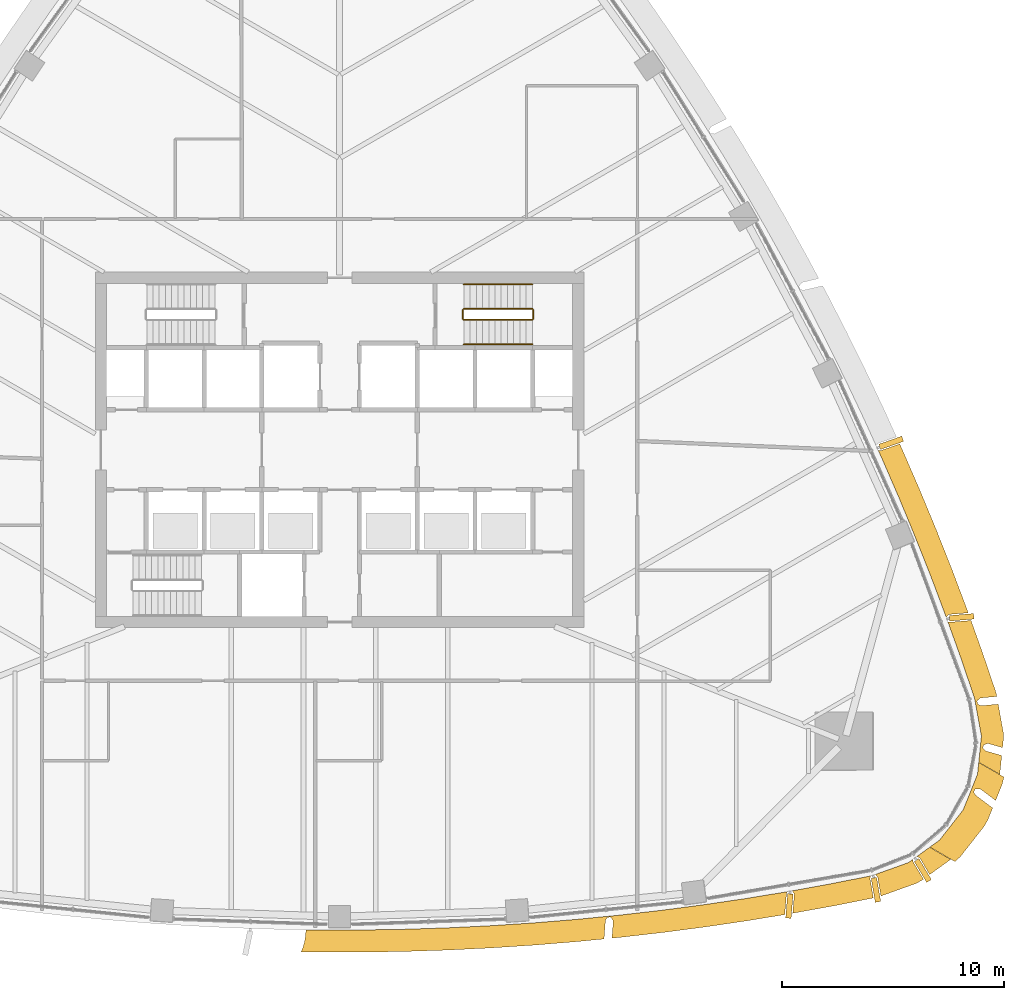
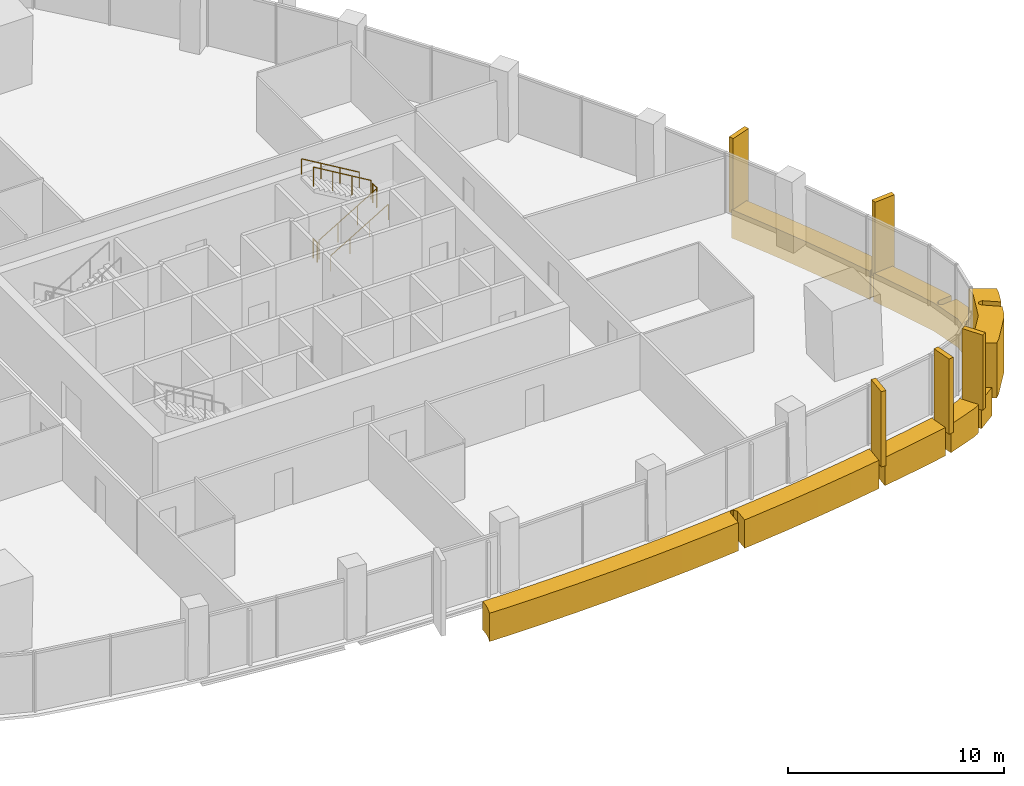
# One storey, part 17 of 19: 12 coverings, 6 railings.
"""IFC4 building model written with IfcOpenShell, lengths in metres."""

from ifc_helpers import new_model, si_unit, direction, frame, origin, origin_2d, place, context, subcontext, project, spatial, polyline, rectangle, circle, outline, extrude, material, layer, layer_set, material_profile, profile_set, type_object, element, save


model = new_model("IFC4")

# Units and contexts
model_context = context("Model", 3, precision=1e-05, world=origin(), true_north=direction((0.0, 1.0)))
body_context = subcontext(model_context, "Body", "Model", "MODEL_VIEW")
ifc_project = project(units=[si_unit("LENGTHUNIT", "METRE"), si_unit("AREAUNIT", "SQUARE_METRE"), si_unit("VOLUMEUNIT", "CUBIC_METRE"), si_unit("PLANEANGLEUNIT", "RADIAN"), si_unit("MASSUNIT", "GRAM", prefix="KILO")], contexts=[model_context])

# Site, building, storey
site_placement = place(None, origin())
site = spatial("IfcSite", under=ifc_project, at=site_placement, CompositionType="ELEMENT")
building_placement = place(site_placement, origin())
building = spatial("IfcBuilding", under=site, at=building_placement, Name="Sierra Prisma Convention Tower", CompositionType="ELEMENT")
storey_placement = place(building_placement, frame((0.0, 0.0, 209.800048828125)))
storey = spatial("IfcBuildingStorey", under=building, at=storey_placement, Name="L47", CompositionType="ELEMENT", Elevation=209.800048828125)

# Coverings
ifc_material_1 = material(Name="Aluminium composite bronze anodised", Category="aluminium")
ifc_layer_1 = layer(ifc_material_1, 1.199951171875)
ifc_layer_set_1 = layer_set([ifc_layer_1], Name="Bronze corner pier")
covering_type_1 = type_object("IfcCoveringType", Name="Bronze corner pier", PredefinedType="CLADDING", material=ifc_layer_set_1)
covering_1_placement = place(storey_placement, frame((0.0, 0.0, -0.60009765625)))
element("IfcCovering", 1, at=covering_1_placement, inside=storey, type_object=covering_type_1, Name="Corner pier SE L47.1", PredefinedType="CLADDING", context=body_context, shape_type="SweptSolid", body=[
    extrude(outline(polyline([(28.6376953125, -15.275390625), (28.633544921875, -15.277587890625), (28.629638671875, -15.280029296875), (28.6259765625, -15.282958984375), (28.62255859375, -15.2861328125), (28.619384765625, -15.289794921875), (28.61669921875, -15.293701171875), (28.6142578125, -15.297607421875), (28.6123046875, -15.302001953125), (28.574951171875, -15.394775390625), (28.5732421875, -15.3994140625), (28.572265625, -15.404296875), (28.571533203125, -15.4091796875), (28.5712890625, -15.414306640625), (28.571533203125, -15.419189453125), (28.572509765625, -15.424072265625), (28.57373046875, -15.4287109375), (28.575439453125, -15.433349609375), (28.57763671875, -15.437744140625), (28.632568359375, -15.5361328125), (28.63525390625, -15.54052734375), (28.638427734375, -15.544677734375), (28.64208984375, -15.548583984375), (28.64599609375, -15.5517578125), (29.412353515625, -16.128173828125), (29.197021484375, -16.662841796875), (29.02880859375, -16.9541015625), (27.962890625, -18.315673828125), (27.72314453125, -18.54638671875), (26.584716796875, -17.888916015625), (27.01806640625, -17.575927734375), (28.083984375, -16.21435546875), (28.730224609375, -14.6103515625), (28.78466796875, -14.07861328125), (29.923095703125, -14.73583984375), (29.84326171875, -15.058837890625), (29.5478515625, -15.7919921875), (28.8564453125, -15.272216796875), (28.852294921875, -15.269287109375), (28.847900390625, -15.266845703125), (28.843505859375, -15.264892578125), (28.838623046875, -15.263671875), (28.833740234375, -15.2626953125), (28.828857421875, -15.26220703125), (28.823974609375, -15.26220703125), (28.656005859375, -15.270751953125), (28.6513671875, -15.271240234375), (28.646728515625, -15.272216796875), (28.64208984375, -15.2734375), (28.6376953125, -15.275390625)])), origin(), (0.0, 0.0, 1.0), 3.10009765625),
])
ifc_material_2 = material(Name="Aluminium 6063-T6 bronze anodised", Category="aluminium")
ifc_material_profile = material_profile(ifc_material_2, rectangle(XDim=1.10009765625, YDim=0.25, at=origin_2d()), Name="ALU FIN 1100x250")
ifc_profile_set = profile_set([ifc_material_profile], Name="Aluminium 6063-T6 bronze anodised")
covering_type_2 = type_object("IfcCoveringType", Name="Bronze facade fin", PredefinedType="CLADDING", material=ifc_profile_set)
for number, where, z_axis, x_axis, name in (
    (2, (20.25830078125, -20.54248046875, -0.300048828125), (0.0, 0.0, 1.0), (-0.082322149896, -0.996605771424, 0.0), "Fin L47.17"),
    (3, (24.155029296875, -19.8154296875, -0.300048828125), (0.0, 0.0, 1.0), (0.1690553894, -0.985606551984, 0.0), "Fin L47.18"),
    (4, (26.26513671875, -18.943603515625, -0.300048828125), (0.0, 0.0, 1.0), (0.512638528503, -0.858604530092, 0.0), "Fin L47.19"),
    (5, (28.015625, -7.541015625, -0.300048828125), (0.0, 0.0, 1.0), (0.996605771424, 0.082322149896, 0.0), "Fin L47.24"),
    (6, (24.840087890625, 0.31591796875, -0.300048828125), (0.0, 0.0, 1.0), (0.94325831478, 0.332059861467, 0.0), "Fin L47.27"),
):
    element("IfcCovering", number, at=place(storey_placement, frame(where, z_axis=z_axis, x_axis=x_axis)), inside=storey, type_object=covering_type_2, Name=name, ObjectType="FIN", PredefinedType="CLADDING", context=body_context, shape_type="SweptSolid", body=[
        extrude(rectangle(XDim=1.10009765625, YDim=0.25, at=origin_2d()), origin(), (0.0, 0.0, 1.0), 4.25),
    ])
ifc_material_3 = material(Name="Aluminium composite bronze anodised", Category="aluminium")
ifc_layer_2 = layer(ifc_material_3, 1.0)
ifc_layer_set_2 = layer_set([ifc_layer_2], Name="Bronze spandrel band")
covering_type_3 = type_object("IfcCoveringType", Name="Bronze spandrel band", PredefinedType="CLADDING", material=ifc_layer_set_2)
covering_2_placement = place(storey_placement, frame((0.0, 0.0, -1.60009765625)))
element("IfcCovering", 7, at=covering_2_placement, inside=storey, type_object=covering_type_3, Name="Spandrel band L47.6", PredefinedType="CLADDING", context=body_context, shape_type="SweptSolid", body=[
    extrude(outline(polyline([(27.443359375, -7.41357421875), (27.438720703125, -7.415283203125), (27.43408203125, -7.417236328125), (27.4296875, -7.419921875), (27.42578125, -7.4228515625), (27.422119140625, -7.426025390625), (27.31884765625, -7.52783203125), (26.641845703125, -5.73193359375), (25.9306640625, -3.93505859375), (25.1904296875, -2.150146484375), (24.421142578125, -0.37744140625), (24.257568359375, -0.016845703125), (24.35400390625, -0.03369140625), (24.359130859375, -0.034423828125), (24.3642578125, -0.034423828125), (24.369384765625, -0.0341796875), (24.37451171875, -0.033203125), (24.37939453125, -0.03173828125), (25.22705078125, 0.2666015625), (25.331787109375, 0.03564453125), (25.33837890625, 0.020751953125), (26.10791015625, -1.751953125), (26.114013671875, -1.76708984375), (26.8544921875, -3.552001953125), (26.860595703125, -3.567138671875), (27.571533203125, -5.364013671875), (27.577392578125, -5.379150390625), (28.25927734375, -7.1875), (28.264892578125, -7.20263671875), (28.314208984375, -7.3408203125), (27.453125, -7.411865234375), (27.4482421875, -7.41259765625), (27.443359375, -7.41357421875)])), origin(), (0.0, 0.0, 1.0), 1.60009765625),
])
covering_3_placement = place(storey_placement, frame((0.0, 0.0, -1.60009765625)))
element("IfcCovering", 8, at=covering_3_placement, inside=storey, type_object=covering_type_3, Name="Spandrel band L47.7", PredefinedType="CLADDING", context=body_context, shape_type="SweptSolid", body=[
    extrude(outline(polyline([(28.725341796875, -11.287841796875), (28.722412109375, -11.291748046875), (28.72021484375, -11.2958984375), (28.718017578125, -11.300048828125), (28.71630859375, -11.3046875), (28.715087890625, -11.30908203125), (28.714599609375, -11.31396484375), (28.714111328125, -11.318603515625), (28.71435546875, -11.323486328125), (28.715087890625, -11.328369140625), (28.73291015625, -11.4267578125), (28.73388671875, -11.431396484375), (28.735595703125, -11.43603515625), (28.737548828125, -11.4404296875), (28.739990234375, -11.444580078125), (28.74267578125, -11.448486328125), (28.745849609375, -11.452392578125), (28.74951171875, -11.45556640625), (28.753173828125, -11.45849609375), (28.75732421875, -11.461181640625), (28.76171875, -11.46337890625), (28.88232421875, -11.517333984375), (28.88720703125, -11.51904296875), (28.89208984375, -11.5205078125), (28.897216796875, -11.521240234375), (28.902099609375, -11.521484375), (28.9072265625, -11.521484375), (29.661865234375, -11.45166015625), (29.89013671875, -12.7119140625), (29.90087890625, -12.991943359375), (29.858154296875, -13.410888671875), (29.202880859375, -13.22509765625), (29.198486328125, -13.22412109375), (29.19384765625, -13.223388671875), (29.189208984375, -13.22314453125), (29.1845703125, -13.223388671875), (29.179931640625, -13.22412109375), (29.175537109375, -13.22509765625), (29.171142578125, -13.2265625), (29.022705078125, -13.284912109375), (29.01806640625, -13.287109375), (29.013916015625, -13.28955078125), (29.009765625, -13.29248046875), (29.006103515625, -13.295654296875), (29.002685546875, -13.29931640625), (28.999755859375, -13.30322265625), (28.9970703125, -13.3076171875), (28.994873046875, -13.31201171875), (28.9931640625, -13.316650390625), (28.991943359375, -13.321533203125), (28.9912109375, -13.326416015625), (28.98095703125, -13.42578125), (28.980712890625, -13.430908203125), (28.981201171875, -13.436279296875), (28.98193359375, -13.44140625), (28.983154296875, -13.4462890625), (28.985107421875, -13.451171875), (28.9873046875, -13.455810546875), (28.990234375, -13.460205078125), (28.993408203125, -13.464111328125), (28.9970703125, -13.4677734375), (29.08740234375, -13.550537109375), (29.091064453125, -13.553466796875), (29.0947265625, -13.55615234375), (29.098876953125, -13.558349609375), (29.10302734375, -13.560302734375), (29.107421875, -13.561767578125), (29.822021484375, -13.764404296875), (29.73486328125, -14.615478515625), (28.785888671875, -14.067626953125), (28.90625, -12.89013671875), (28.597900390625, -11.188720703125), (27.9755859375, -9.359130859375), (27.39306640625, -7.734375), (27.46142578125, -7.758056640625), (27.46630859375, -7.759521484375), (27.471435546875, -7.760498046875), (27.476806640625, -7.7607421875), (27.48193359375, -7.7607421875), (28.4365234375, -7.681884765625), (28.9169921875, -9.021728515625), (28.92236328125, -9.037109375), (29.544677734375, -10.86669921875), (29.58203125, -11.010498046875), (29.599365234375, -11.10595703125), (28.875, -11.1728515625), (28.8701171875, -11.173583984375), (28.865234375, -11.1748046875), (28.8603515625, -11.176513671875), (28.85595703125, -11.1787109375), (28.8515625, -11.181396484375), (28.84765625, -11.184326171875), (28.732177734375, -11.281005859375), (28.728515625, -11.2841796875), (28.725341796875, -11.287841796875)])), origin(), (0.0, 0.0, 1.0), 1.60009765625),
])
covering_4_placement = place(storey_placement, frame((0.0, 0.0, -1.60009765625)))
element("IfcCovering", 9, at=covering_4_placement, inside=storey, type_object=covering_type_3, Name="Spandrel band L47.8", PredefinedType="CLADDING", context=body_context, shape_type="SweptSolid", body=[
    extrude(outline(polyline([(26.12744140625, -18.373779296875), (26.123779296875, -18.3701171875), (26.119873046875, -18.366943359375), (26.11572265625, -18.3642578125), (26.111083984375, -18.36181640625), (26.0, -18.311279296875), (26.57568359375, -17.8955078125), (27.52490234375, -18.443359375), (26.578369140625, -19.127197265625), (26.13330078125, -18.3818359375), (26.130615234375, -18.377685546875), (26.12744140625, -18.373779296875)])), origin(), (0.0, 0.0, 1.0), 1.60009765625),
])
covering_5_placement = place(storey_placement, frame((0.0, 0.0, -1.60009765625)))
element("IfcCovering", 10, at=covering_5_placement, inside=storey, type_object=covering_type_3, Name="Spandrel band L47.9", PredefinedType="CLADDING", context=body_context, shape_type="SweptSolid", body=[
    extrude(outline(polyline([(25.826171875, -18.5419921875), (25.8271484375, -18.547119140625), (25.82861328125, -18.552001953125), (25.83056640625, -18.556640625), (25.8330078125, -18.561279296875), (26.293701171875, -19.332763671875), (26.201904296875, -19.39892578125), (25.9541015625, -19.52978515625), (24.380615234375, -20.093994140625), (24.234619140625, -19.243896484375), (24.233642578125, -19.2392578125), (24.232177734375, -19.23486328125), (24.23046875, -19.23046875), (24.228271484375, -19.226318359375), (24.2255859375, -19.22265625), (24.22265625, -19.218994140625), (24.219482421875, -19.215576171875), (24.12158203125, -19.12451171875), (25.6162109375, -18.58837890625), (25.8232421875, -18.43896484375), (25.82568359375, -18.536865234375), (25.826171875, -18.5419921875)])), origin(), (0.0, 0.0, 1.0), 1.60009765625),
])
covering_6_placement = place(storey_placement, frame((0.0, 0.0, -1.60009765625)))
element("IfcCovering", 11, at=covering_6_placement, inside=storey, type_object=covering_type_3, Name="Spandrel band L47.10", PredefinedType="CLADDING", context=body_context, shape_type="SweptSolid", body=[
    extrude(outline(polyline([(23.889404296875, -19.2890625), (23.888916015625, -19.293701171875), (23.88916015625, -19.29833984375), (23.8896484375, -19.302978515625), (24.040283203125, -20.181396484375), (22.28759765625, -20.52880859375), (22.271484375, -20.531982421875), (20.406982421875, -20.8701171875), (20.47802734375, -20.0087890625), (20.478271484375, -20.00390625), (20.477783203125, -19.998779296875), (20.47705078125, -19.993896484375), (20.4755859375, -19.9892578125), (20.47412109375, -19.984619140625), (20.4716796875, -19.97998046875), (20.468994140625, -19.975830078125), (20.3857421875, -19.857666015625), (22.093017578125, -19.548095703125), (23.919677734375, -19.185791015625), (23.89111328125, -19.27978515625), (23.889892578125, -19.284423828125), (23.889404296875, -19.2890625)])), origin(), (0.0, 0.0, 1.0), 1.60009765625),
])
covering_7_placement = place(storey_placement, frame((0.0, 0.0, -1.60009765625)))
element("IfcCovering", 12, at=covering_7_placement, inside=storey, type_object=covering_type_3, Name="Spandrel band L47.11", PredefinedType="CLADDING", context=body_context, shape_type="SweptSolid", body=[
    extrude(outline(polyline([(12.23046875, -21.06494140625), (12.2275390625, -21.06103515625), (12.224365234375, -21.05712890625), (12.220703125, -21.053955078125), (12.216796875, -21.05078125), (12.21240234375, -21.04833984375), (12.2080078125, -21.046142578125), (12.203369140625, -21.04443359375), (12.198486328125, -21.043212890625), (12.193603515625, -21.04248046875), (12.188720703125, -21.042236328125), (12.18359375, -21.04248046875), (12.083984375, -21.052001953125), (12.0791015625, -21.052978515625), (12.073974609375, -21.05419921875), (12.069091796875, -21.055908203125), (12.064453125, -21.058349609375), (12.060302734375, -21.06103515625), (12.05615234375, -21.064208984375), (12.052490234375, -21.06787109375), (12.049072265625, -21.07177734375), (12.046142578125, -21.076171875), (11.98291015625, -21.18115234375), (11.980712890625, -21.185302734375), (11.97900390625, -21.189453125), (11.9775390625, -21.19384765625), (11.9765625, -21.198486328125), (11.97607421875, -21.202880859375), (11.91259765625, -22.026611328125), (10.7119140625, -22.14453125), (10.69580078125, -22.14599609375), (8.769775390625, -22.303466796875), (8.75341796875, -22.3046875), (6.8251953125, -22.4306640625), (6.808837890625, -22.431396484375), (4.878662109375, -22.526123046875), (4.8623046875, -22.526611328125), (2.930908203125, -22.589599609375), (2.914794921875, -22.590087890625), (0.982421875, -22.62158203125), (0.96630859375, -22.621826171875), (-0.96630859375, -22.621826171875), (-0.982421875, -22.62158203125), (-1.72900390625, -22.609619140625), (-1.650390625, -22.411376953125), (-1.58251953125, -22.173828125), (-1.537841796875, -21.930908203125), (-1.517333984375, -21.6845703125), (-1.514892578125, -21.61279296875), (-0.96630859375, -21.621826171875), (0.96630859375, -21.621826171875), (2.8984375, -21.59033203125), (4.829833984375, -21.527099609375), (6.760009765625, -21.4326171875), (8.688232421875, -21.306884765625), (10.6142578125, -21.1494140625), (12.537353515625, -20.960693359375), (14.457275390625, -20.740478515625), (16.373291015625, -20.489013671875), (18.284912109375, -20.20654296875), (20.169921875, -19.896240234375), (20.13525390625, -19.960205078125), (20.1328125, -19.96484375), (20.131103515625, -19.9697265625), (20.1298828125, -19.974853515625), (20.129150390625, -19.97998046875), (20.05078125, -20.929443359375), (18.447265625, -21.193115234375), (18.43115234375, -21.19580078125), (16.51953125, -21.478515625), (16.50341796875, -21.480712890625), (14.58740234375, -21.73193359375), (14.5712890625, -21.73388671875), (12.6513671875, -21.9541015625), (12.635009765625, -21.955810546875), (12.266357421875, -21.991943359375), (12.324951171875, -21.22998046875), (12.3251953125, -21.22509765625), (12.32470703125, -21.220703125), (12.32421875, -21.216064453125), (12.322998046875, -21.21142578125), (12.3212890625, -21.20703125), (12.319580078125, -21.202880859375), (12.317138671875, -21.198974609375), (12.23046875, -21.06494140625)])), origin(), (0.0, 0.0, 1.0), 1.60009765625),
])

# Railings
ifc_material_4 = material(Name="Stainless steel", Category="steel")
railing_type_1 = type_object("IfcRailingType", Name="Exit stair handrail", PredefinedType="HANDRAIL", material=ifc_material_4)
railing_1_placement = place(storey_placement, frame((5.60009765625, 4.75, 0.16650390625)))
element("IfcRailing", 13, at=railing_1_placement, inside=storey, type_object=railing_type_1, Name="L47 S4 stair handrail 1", PredefinedType="HANDRAIL", context=body_context, shape_type="SweptSolid", body=[
    extrude(circle(Radius=0.02392578125, at=origin_2d()), frame((0.0, 0.0, 0.8759765625), z_axis=(0.859260807169, 0.0, 0.511537745687), x_axis=(0.0, 1.0, 0.0)), (0.0, 0.0, 1.0), 3.584228515625),
    extrude(circle(Radius=0.02099609375, at=origin_2d()), origin(), (0.0, 0.0, 1.0), 0.851806640625),
    extrude(circle(Radius=0.02099609375, at=origin_2d()), frame((1.026611328125, 0.0, 0.611083984375)), (0.0, 0.0, 1.0), 0.851806640625),
    extrude(circle(Radius=0.02099609375, at=origin_2d()), frame((2.05322265625, 0.0, 1.222412109375)), (0.0, 0.0, 1.0), 0.851806640625),
    extrude(circle(Radius=0.02099609375, at=origin_2d()), frame((3.079833984375, 0.0, 1.83349609375)), (0.0, 0.0, 1.0), 0.851806640625),
])
railing_2_placement = place(storey_placement, frame((8.679931640625, 7.449951171875, 2.16650390625)))
element("IfcRailing", 14, at=railing_2_placement, inside=storey, type_object=railing_type_1, Name="L47 S4 stair handrail 2", PredefinedType="HANDRAIL", context=body_context, shape_type="SweptSolid", body=[
    extrude(circle(Radius=0.02392578125, at=origin_2d()), frame((0.0, 0.0, 0.8759765625), z_axis=(-0.859260807169, 0.0, 0.511537745687), x_axis=(0.0, -1.0, 0.0)), (0.0, 0.0, 1.0), 3.584228515625),
    extrude(circle(Radius=0.02099609375, at=origin_2d()), origin(), (0.0, 0.0, 1.0), 0.851806640625),
    extrude(circle(Radius=0.02099609375, at=origin_2d()), frame((-1.026611328125, 0.0, 0.611083984375)), (0.0, 0.0, 1.0), 0.851806640625),
    extrude(circle(Radius=0.02099609375, at=origin_2d()), frame((-2.05322265625, 0.0, 1.222412109375)), (0.0, 0.0, 1.0), 0.851806640625),
    extrude(circle(Radius=0.02099609375, at=origin_2d()), frame((-3.079833984375, 0.0, 1.83349609375)), (0.0, 0.0, 1.0), 0.851806640625),
])
ifc_material_5 = material(Name="Stainless steel", Category="steel")
railing_type_2 = type_object("IfcRailingType", Name="Stair guard 1100", PredefinedType="GUARDRAIL", material=ifc_material_5)
railing_3_placement = place(storey_placement, frame((5.60009765625, 5.85009765625, 0.16650390625)))
element("IfcRailing", 15, at=railing_3_placement, inside=storey, type_object=railing_type_2, Name="L47 S4 stair guard 1", PredefinedType="GUARDRAIL", context=body_context, shape_type="SweptSolid", body=[
    extrude(circle(Radius=0.02392578125, at=origin_2d()), frame((0.0, 0.0, 1.076171875), z_axis=(0.859260807169, 0.0, 0.511537745687), x_axis=(0.0, 1.0, 0.0)), (0.0, 0.0, 1.0), 3.584228515625),
    extrude(circle(Radius=0.02099609375, at=origin_2d()), origin(), (0.0, 0.0, 1.0), 1.052001953125),
    extrude(circle(Radius=0.02099609375, at=origin_2d()), frame((1.026611328125, 0.0, 0.611083984375)), (0.0, 0.0, 1.0), 1.052001953125),
    extrude(circle(Radius=0.02099609375, at=origin_2d()), frame((2.05322265625, 0.0, 1.222412109375)), (0.0, 0.0, 1.0), 1.052001953125),
    extrude(circle(Radius=0.02099609375, at=origin_2d()), frame((3.079833984375, 0.0, 1.83349609375)), (0.0, 0.0, 1.0), 1.052001953125),
])
railing_4_placement = place(storey_placement, frame((8.72998046875, 5.89990234375, 2.0)))
element("IfcRailing", 16, at=railing_4_placement, inside=storey, type_object=railing_type_2, Name="L47 S4 stair guard 2", PredefinedType="GUARDRAIL", context=body_context, shape_type="SweptSolid", body=[
    extrude(circle(Radius=0.02392578125, at=origin_2d()), frame((0.0, 0.0, 1.076171875), z_axis=(0.0, 1.0, 0.0), x_axis=(-1.0, 0.0, 0.0)), (0.0, 0.0, 1.0), 0.400146484375),
    extrude(circle(Radius=0.02099609375, at=origin_2d()), origin(), (0.0, 0.0, 1.0), 1.052001953125),
    extrude(circle(Radius=0.02099609375, at=origin_2d()), frame((0.0, 0.400146484375, 0.0)), (0.0, 0.0, 1.0), 1.052001953125),
])
railing_5_placement = place(storey_placement, frame((8.679931640625, 6.35009765625, 2.16650390625)))
element("IfcRailing", 17, at=railing_5_placement, inside=storey, type_object=railing_type_2, Name="L47 S4 stair guard 3", PredefinedType="GUARDRAIL", context=body_context, shape_type="SweptSolid", body=[
    extrude(circle(Radius=0.02392578125, at=origin_2d()), frame((0.0, 0.0, 1.076171875), z_axis=(-0.859260807169, 0.0, 0.511537745687), x_axis=(0.0, -1.0, 0.0)), (0.0, 0.0, 1.0), 3.584228515625),
    extrude(circle(Radius=0.02099609375, at=origin_2d()), origin(), (0.0, 0.0, 1.0), 1.052001953125),
    extrude(circle(Radius=0.02099609375, at=origin_2d()), frame((-1.026611328125, 0.0, 0.611083984375)), (0.0, 0.0, 1.0), 1.052001953125),
    extrude(circle(Radius=0.02099609375, at=origin_2d()), frame((-2.05322265625, 0.0, 1.222412109375)), (0.0, 0.0, 1.0), 1.052001953125),
    extrude(circle(Radius=0.02099609375, at=origin_2d()), frame((-3.079833984375, 0.0, 1.83349609375)), (0.0, 0.0, 1.0), 1.052001953125),
])
railing_6_placement = place(storey_placement, frame((5.550048828125, 5.89990234375, 0.0)))
element("IfcRailing", 18, at=railing_6_placement, inside=storey, type_object=railing_type_2, Name="L47 S4 stair guard 4", PredefinedType="GUARDRAIL", context=body_context, shape_type="SweptSolid", body=[
    extrude(circle(Radius=0.02392578125, at=origin_2d()), frame((0.0, 0.0, 1.076171875), z_axis=(0.0, 1.0, 0.0), x_axis=(-1.0, 0.0, 0.0)), (0.0, 0.0, 1.0), 0.400146484375),
    extrude(circle(Radius=0.02099609375, at=origin_2d()), origin(), (0.0, 0.0, 1.0), 1.052001953125),
    extrude(circle(Radius=0.02099609375, at=origin_2d()), frame((0.0, 0.400146484375, 0.0)), (0.0, 0.0, 1.0), 1.052001953125),
])

save(model, "model.ifc")
